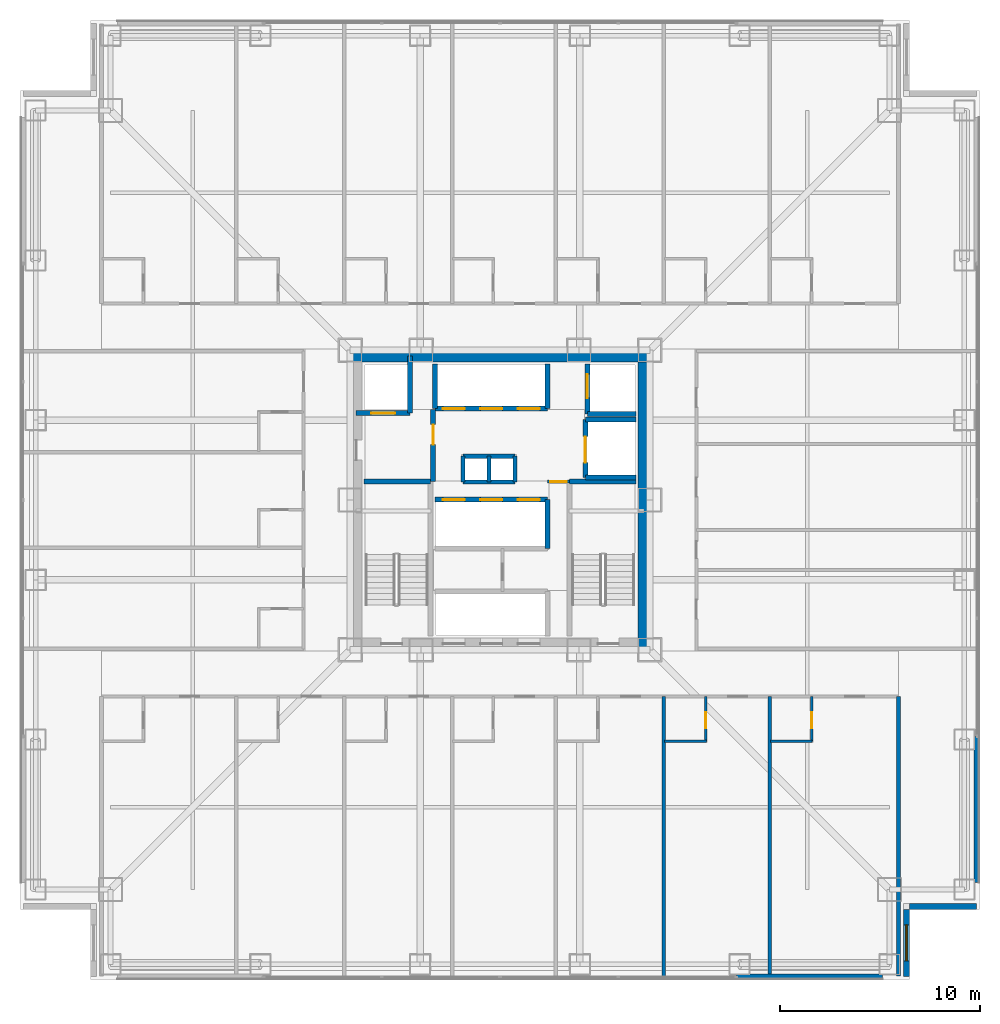
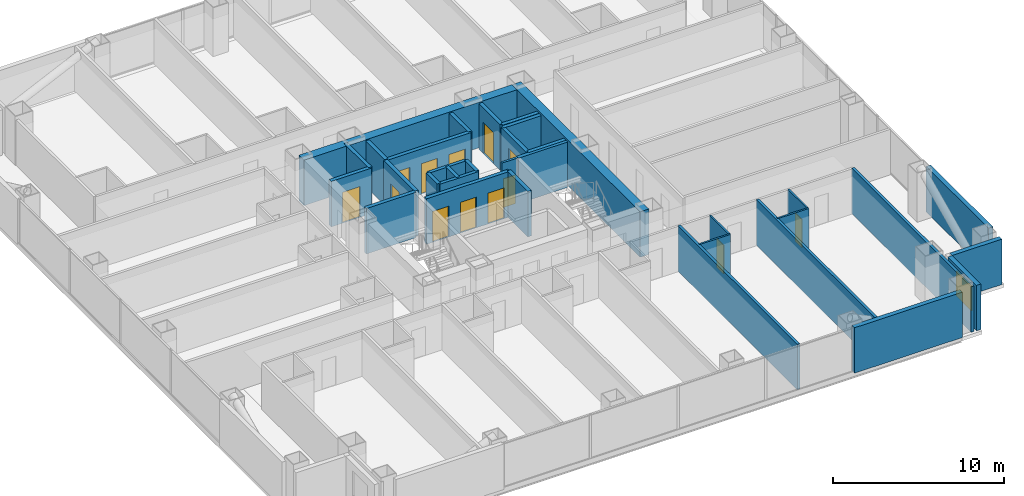
# One storey, part 18 of 23: 34 walls, 13 doors, 1 window, 14 openings.
"""IFC4 building model written with IfcOpenShell, lengths in metres."""

from ifc_helpers import new_model, si_unit, direction, frame, frame_2d, origin, place, context, subcontext, project, spatial, rectangle, extrude, material, layer, layer_set, type_object, element, fill, save


model = new_model("IFC4")

# Units and contexts
model_context = context("Model", 3, precision=1e-05, world=origin(), true_north=direction((0.0, 1.0)))
body_context = subcontext(model_context, "Body", "Model", "MODEL_VIEW")
ifc_project = project(units=[si_unit("LENGTHUNIT", "METRE"), si_unit("AREAUNIT", "SQUARE_METRE"), si_unit("VOLUMEUNIT", "CUBIC_METRE"), si_unit("PLANEANGLEUNIT", "RADIAN"), si_unit("MASSUNIT", "GRAM", prefix="KILO")], contexts=[model_context])

# Site, building, storey
site_placement = place(None, origin())
site = spatial("IfcSite", under=ifc_project, at=site_placement, CompositionType="ELEMENT")
building_placement = place(site_placement, origin())
building = spatial("IfcBuilding", under=site, at=building_placement, Name="Trevonay Congress Spire", CompositionType="ELEMENT")
storey_placement = place(building_placement, frame((0.0, 0.0, 34.0)))
storey = spatial("IfcBuildingStorey", under=building, at=storey_placement, Name="L07", CompositionType="ELEMENT", Elevation=34.0)

# Wall, opening, door
ifc_material_1 = material(Name="Concrete C40/50", Category="concrete")
ifc_layer_1 = layer(ifc_material_1, 0.1201171875, Name="Concrete C40/50")
ifc_layer_set_1 = layer_set([ifc_layer_1], Name="Concrete C40/50")
wall_type_1 = type_object("IfcWallType", Name="WAL-BATH-120", PredefinedType="PLUMBINGWALL", material=ifc_layer_set_1)
wall_1_placement = place(storey_placement, frame((10.300048828125, -12.080078125, 0.0), z_axis=(0.0, 0.0, 1.0), x_axis=(0.0, 1.0, 0.0)))
wall_1 = element("IfcWall", 1, at=wall_1_placement, inside=storey, type_object=wall_type_1, Name="L07 interior wall WH-L07S-BS6", PredefinedType="PLUMBINGWALL", context=body_context, shape_type="SweptSolid", body=[
    extrude(rectangle(XDim=2.25, YDim=0.1201171875, at=frame_2d((1.125, 0.0))), origin(), (0.0, 0.0, 1.0), 3.25),
])
opening_1_placement = place(wall_1_placement, frame((0.64990234375, 0.0, 0.0)))
opening_1 = element("IfcOpeningElement", 2, at=opening_1_placement, cuts=wall_1, Name="Opening D11", PredefinedType="OPENING", context=body_context, shape_type="SweptSolid", body=[
    extrude(rectangle(XDim=0.800048828125, YDim=2.050048828125, at=frame_2d((0.39990234375, 1.02490234375))), frame((0.0, 0.070068359375, 0.0), z_axis=(0.0, -1.0, 0.0), x_axis=(1.0, 0.0, 0.0)), (0.0, 0.0, 1.0), 0.14013671875),
])
ifc_material_2 = material(Name="Pale Anodised Aluminium EN AW-6063-T6", Category="aluminium")
door_type_1 = type_object("IfcDoorType", Name="DOR-BATH-80", OperationType="NOTDEFINED", PredefinedType="DOOR", material=ifc_material_2)
door_1_placement = place(opening_1_placement, origin())
door_1 = element("IfcDoor", 3, at=door_1_placement, inside=storey, type_object=door_type_1, Name="L07 En-suite Bathroom Door", OperationType="SINGLE_SWING_RIGHT", OverallHeight=2.050048828125, OverallWidth=0.800048828125, PredefinedType="DOOR", context=body_context, shape_type="SweptSolid", body=[
    extrude(rectangle(XDim=0.800048828125, YDim=2.050048828125, at=frame_2d((0.39990234375, 1.02490234375))), frame((0.0, 0.02490234375, 0.0), z_axis=(0.0, -1.0, 0.0), x_axis=(1.0, 0.0, 0.0)), (0.0, 0.0, 1.0), 0.050048828125),
])
fill(opening_1, door_1)

# Wall
wall_2_placement = place(storey_placement, frame((8.22998046875, -12.080078125, 0.0), z_axis=(0.0, 0.0, 1.0), x_axis=(1.0, 0.0, 0.0)))
element("IfcWall", 4, at=wall_2_placement, inside=storey, type_object=wall_type_1, Name="L07 interior wall WH-L07S-BF6", PredefinedType="PLUMBINGWALL", context=body_context, shape_type="SweptSolid", body=[
    extrude(rectangle(XDim=2.10009765625, YDim=0.1201171875, at=frame_2d((1.050048828125, 0.0))), origin(), (0.0, 0.0, 1.0), 3.25),
])

# Wall, opening, door
wall_3_placement = place(storey_placement, frame((15.60009765625, -12.080078125, 0.0), z_axis=(0.0, 0.0, 1.0), x_axis=(0.0, 1.0, 0.0)))
wall_3 = element("IfcWall", 5, at=wall_3_placement, inside=storey, type_object=wall_type_1, Name="L07 interior wall WH-L07S-BS7", PredefinedType="PLUMBINGWALL", context=body_context, shape_type="SweptSolid", body=[
    extrude(rectangle(XDim=2.25, YDim=0.1201171875, at=frame_2d((1.125, 0.0))), origin(), (0.0, 0.0, 1.0), 3.25),
])
opening_2_placement = place(wall_3_placement, frame((0.64990234375, 0.0, 0.0)))
opening_2 = element("IfcOpeningElement", 6, at=opening_2_placement, cuts=wall_3, Name="Opening D11", PredefinedType="OPENING", context=body_context, shape_type="SweptSolid", body=[
    extrude(rectangle(XDim=0.800048828125, YDim=2.050048828125, at=frame_2d((0.39990234375, 1.02490234375))), frame((0.0, 0.070068359375, 0.0), z_axis=(0.0, -1.0, 0.0), x_axis=(1.0, 0.0, 0.0)), (0.0, 0.0, 1.0), 0.14013671875),
])
door_2_placement = place(opening_2_placement, origin())
door_2 = element("IfcDoor", 7, at=door_2_placement, inside=storey, type_object=door_type_1, Name="L07 En-suite Bathroom Door", OperationType="SINGLE_SWING_LEFT", OverallHeight=2.050048828125, OverallWidth=0.800048828125, PredefinedType="DOOR", context=body_context, shape_type="SweptSolid", body=[
    extrude(rectangle(XDim=0.800048828125, YDim=2.050048828125, at=frame_2d((0.39990234375, 1.02490234375))), frame((0.0, 0.02490234375, 0.0), z_axis=(0.0, -1.0, 0.0), x_axis=(1.0, 0.0, 0.0)), (0.0, 0.0, 1.0), 0.050048828125),
])
fill(opening_2, door_2)

# Walls
wall_4_placement = place(storey_placement, frame((13.530029296875, -12.080078125, 0.0), z_axis=(0.0, 0.0, 1.0), x_axis=(1.0, 0.0, 0.0)))
element("IfcWall", 8, at=wall_4_placement, inside=storey, type_object=wall_type_1, Name="L07 interior wall WH-L07S-BF7", PredefinedType="PLUMBINGWALL", context=body_context, shape_type="SweptSolid", body=[
    extrude(rectangle(XDim=2.099853515625, YDim=0.1201171875, at=frame_2d((1.0498046875, 0.0))), origin(), (0.0, 0.0, 1.0), 3.25),
])
ifc_material_3 = material(Name="Concrete C60/75", Category="concrete")
ifc_layer_2 = layer(ifc_material_3, 0.60009765625, Name="Concrete C60/75")
ifc_layer_set_2 = layer_set([ifc_layer_2], Name="Concrete C60/75")
wall_type_2 = type_object("IfcWallType", Name="WAL-CORE-600", PredefinedType="SHEAR", material=ifc_layer_set_2)
for number, where, z_axis, x_axis, name in (
    (9, (-7.5, 7.199951171875, 0.0), (0.0, 0.0, 1.0), (1.0, 0.0, 0.0), "L07 North structural core shear wall"),
    (10, (7.199951171875, -7.5, 0.0), (0.0, 0.0, 1.0), (0.0, 1.0, 0.0), "L07 East structural core shear wall"),
):
    element("IfcWall", number, at=place(storey_placement, frame(where, z_axis=z_axis, x_axis=x_axis)), inside=storey, type_object=wall_type_2, Name=name, PredefinedType="SHEAR", context=body_context, shape_type="SweptSolid", body=[
        extrude(rectangle(XDim=15.0, YDim=0.60009765625, at=frame_2d((7.5, 0.0))), origin(), (0.0, 0.0, 1.0), 3.25),
    ])
ifc_material_4 = material(Name="Precast concrete C40/50", Category="concrete")
ifc_layer_3 = layer(ifc_material_4, 0.300048828125, Name="Precast concrete C40/50")
ifc_layer_set_3 = layer_set([ifc_layer_3], Name="Precast concrete C40/50")
wall_type_3 = type_object("IfcWallType", Name="WAL-EXT-PRECAST-300", PredefinedType="SOLIDWALL", material=ifc_layer_set_3)
for number, where, z_axis, x_axis, name in (
    (11, (11.85009765625, -23.8798828125, 0.0), (0.0, 0.0, 1.0), (1.0, 0.0, 0.0), "L07 SR braced-bay exterior pier wall"),
    (12, (23.8798828125, -19.14990234375, 0.0), (0.0, 0.0, 1.0), (0.0, 1.0, 0.0), "L07 EL braced-bay exterior pier wall"),
):
    element("IfcWall", number, at=place(storey_placement, frame(where, z_axis=z_axis, x_axis=x_axis)), inside=storey, type_object=wall_type_3, Name=name, PredefinedType="SOLIDWALL", context=body_context, shape_type="SweptSolid", body=[
        extrude(rectangle(XDim=7.2998046875, YDim=0.300048828125, at=frame_2d((3.64990234375, 0.0))), origin(), (0.0, 0.0, 1.0), 3.25),
    ])

# Wall, opening, window
wall_5_placement = place(storey_placement, frame((20.35009765625, -23.85009765625, 0.0), z_axis=(0.0, 0.0, 1.0), x_axis=(0.0, 1.0, 0.0)))
wall_5 = element("IfcWall", 13, at=wall_5_placement, inside=storey, type_object=wall_type_3, Name="L07 SE re-entrant notch exterior wall 1", PredefinedType="SOLIDWALL", context=body_context, shape_type="SweptSolid", body=[
    extrude(rectangle(XDim=3.35009765625, YDim=0.300048828125, at=frame_2d((1.675048828125, 0.0))), origin(), (0.0, 0.0, 1.0), 3.25),
])
opening_3_placement = place(wall_5_placement, frame((0.77490234375, 0.0, 0.89990234375)))
opening_3 = element("IfcOpeningElement", 14, at=opening_3_placement, cuts=wall_5, Name="Opening WN01", PredefinedType="OPENING", context=body_context, shape_type="SweptSolid", body=[
    extrude(rectangle(XDim=1.800048828125, YDim=1.800048828125, at=frame_2d((0.89990234375, 0.89990234375))), frame((0.0, 0.16015625, 0.0), z_axis=(0.0, -1.0, 0.0), x_axis=(1.0, 0.0, 0.0)), (0.0, 0.0, 1.0), 0.320068359375),
])
ifc_material_5 = material(Name="Insulated Low-E Vision Glass IGU", Category="glass")
window_type = type_object("IfcWindowType", Name="WIN-HOTEL-180X180", PartitioningType="SINGLE_PANEL", PredefinedType="WINDOW", material=ifc_material_5)
window_placement = place(opening_3_placement, origin())
window = element("IfcWindow", 15, at=window_placement, inside=storey, type_object=window_type, Name="L07 SE corner notch window", OverallHeight=1.800048828125, OverallWidth=1.800048828125, PartitioningType="SINGLE_PANEL", PredefinedType="WINDOW", context=body_context, shape_type="SweptSolid", body=[
    extrude(rectangle(XDim=1.800048828125, YDim=1.800048828125, at=frame_2d((0.89990234375, 0.89990234375))), frame((0.0, 0.030029296875, 0.0), z_axis=(0.0, -1.0, 0.0), x_axis=(1.0, 0.0, 0.0)), (0.0, 0.0, 1.0), 0.06005859375),
])
fill(opening_3, window)

# Walls
wall_6_placement = place(storey_placement, frame((23.85009765625, -20.35009765625, 0.0), z_axis=(0.0, 0.0, 1.0), x_axis=(-1.0, 0.0, 0.0)))
element("IfcWall", 16, at=wall_6_placement, inside=storey, type_object=wall_type_3, Name="L07 SE re-entrant notch exterior wall 2", PredefinedType="SOLIDWALL", context=body_context, shape_type="SweptSolid", body=[
    extrude(rectangle(XDim=3.35009765625, YDim=0.300048828125, at=frame_2d((1.675048828125, 0.0))), origin(), (0.0, 0.0, 1.0), 3.25),
])
ifc_layer_4 = layer(ifc_material_1, 0.179931640625, Name="Concrete C40/50")
ifc_layer_set_4 = layer_set([ifc_layer_4], Name="Concrete C40/50")
wall_type_4 = type_object("IfcWallType", Name="WAL-HOTEL-180", PredefinedType="PARTITIONING", material=ifc_layer_set_4)
for number, where, z_axis, x_axis, name in (
    (17, (8.199951171875, -23.820068359375, 0.0), (0.0, 0.0, 1.0), (0.0, 1.0, 0.0), "L07 interior wall WH-L07S-DIV6"),
    (18, (13.5, -23.820068359375, 0.0), (0.0, 0.0, 1.0), (0.0, 1.0, 0.0), "L07 interior wall WH-L07S-DIV7"),
    (19, (19.949951171875, -23.820068359375, 0.0), (0.0, 0.0, 1.0), (0.0, 1.0, 0.0), "L07 interior wall WH-L07S-DIV8"),
):
    element("IfcWall", number, at=place(storey_placement, frame(where, z_axis=z_axis, x_axis=x_axis)), inside=storey, type_object=wall_type_4, Name=name, PredefinedType="PARTITIONING", context=body_context, shape_type="SweptSolid", body=[
        extrude(rectangle(XDim=13.989990234375, YDim=0.179931640625, at=frame_2d((6.9951171875, 0.0))), origin(), (0.0, 0.0, 1.0), 3.25),
    ])

# Wall, opening, door
ifc_layer_5 = layer(ifc_material_1, 0.14990234375, Name="Concrete C40/50")
ifc_layer_set_5 = layer_set([ifc_layer_5], Name="Concrete C40/50")
wall_type_5 = type_object("IfcWallType", Name="WAL-PART-150", PredefinedType="PARTITIONING", material=ifc_layer_set_5)
wall_7_placement = place(storey_placement, frame((2.3798828125, 0.919921875, 0.0), z_axis=(0.0, 0.0, 1.0), x_axis=(1.0, 0.0, 0.0)))
wall_7 = element("IfcWall", 20, at=wall_7_placement, inside=storey, type_object=wall_type_5, Name="L07 interior wall CW-CSRV-N-L07", PredefinedType="PARTITIONING", context=body_context, shape_type="SweptSolid", body=[
    extrude(rectangle(XDim=1.090087890625, YDim=0.14990234375, at=frame_2d((0.544921875, 0.0))), origin(), (0.0, 0.0, 1.0), 3.25),
])
opening_4_placement = place(wall_7_placement, frame((0.135009765625, 0.0, 0.0)))
opening_4 = element("IfcOpeningElement", 21, at=opening_4_placement, cuts=wall_7, Name="Opening D13", PredefinedType="OPENING", context=body_context, shape_type="SweptSolid", body=[
    extrude(rectangle(XDim=0.820068359375, YDim=2.050048828125, at=frame_2d((0.41015625, 1.02490234375))), frame((0.0, 0.0849609375, 0.0), z_axis=(0.0, -1.0, 0.0), x_axis=(1.0, 0.0, 0.0)), (0.0, 0.0, 1.0), 0.169921875),
])
ifc_material_6 = material(Name="Steel ASTM A572 Grade 50", Category="steel")
door_type_2 = type_object("IfcDoorType", Name="DOR-UTIL-80", OperationType="NOTDEFINED", PredefinedType="DOOR", material=ifc_material_6)
door_3_placement = place(opening_4_placement, origin())
door_3 = element("IfcDoor", 22, at=door_3_placement, inside=storey, type_object=door_type_2, Name="L07 Core Service Pocket Door", OperationType="SINGLE_SWING_LEFT", OverallHeight=2.050048828125, OverallWidth=0.820068359375, PredefinedType="DOOR", context=body_context, shape_type="SweptSolid", body=[
    extrude(rectangle(XDim=0.820068359375, YDim=2.050048828125, at=frame_2d((0.41015625, 1.02490234375))), frame((0.0, 0.02490234375, 0.0), z_axis=(0.0, -1.0, 0.0), x_axis=(1.0, 0.0, 0.0)), (0.0, 0.0, 1.0), 0.050048828125),
])
fill(opening_4, door_3)

# Walls
ifc_layer_6 = layer(ifc_material_1, 0.219970703125, Name="Concrete C40/50")
ifc_layer_set_6 = layer_set([ifc_layer_6], Name="Concrete C40/50")
wall_type_6 = type_object("IfcWallType", Name="WAL-SHAFT-220", PredefinedType="PARTITIONING", material=ifc_layer_set_6)
for number, where, z_axis, x_axis, name in (
    (23, (-1.85009765625, 2.199951171875, 0.0), (0.0, 0.0, 1.0), (1.0, 0.0, 0.0), "L07 interior shaft wall WSH-L07-RSR-N"),
    (24, (-1.85009765625, 0.89990234375, 0.0), (0.0, 0.0, 1.0), (1.0, 0.0, 0.0), "L07 interior shaft wall WSH-L07-RSR-S"),
):
    element("IfcWall", number, at=place(storey_placement, frame(where, z_axis=z_axis, x_axis=x_axis)), inside=storey, type_object=wall_type_6, Name=name, PredefinedType="PARTITIONING", context=body_context, shape_type="SweptSolid", body=[
        extrude(rectangle(XDim=2.60009765625, YDim=0.219970703125, at=frame_2d((1.300048828125, 0.0))), origin(), (0.0, 0.0, 1.0), 3.25),
    ])
for number, where, z_axis, x_axis, name in (
    (25, (-0.550048828125, 0.89990234375, 0.0), (0.0, 0.0, 1.0), (0.0, 1.0, 0.0), "L07 interior shaft wall WSH-L07-RSR-M"),
    (26, (0.75, 0.89990234375, 0.0), (0.0, 0.0, 1.0), (0.0, 1.0, 0.0), "L07 interior shaft wall WSH-L07-RSR-E"),
    (27, (-1.85009765625, 0.89990234375, 0.0), (0.0, 0.0, 1.0), (0.0, 1.0, 0.0), "L07 interior shaft wall WSH-L07-RSR-W"),
):
    element("IfcWall", number, at=place(storey_placement, frame(where, z_axis=z_axis, x_axis=x_axis)), inside=storey, type_object=wall_type_6, Name=name, PredefinedType="PARTITIONING", context=body_context, shape_type="SweptSolid", body=[
        extrude(rectangle(XDim=1.300048828125, YDim=0.219970703125, at=frame_2d((0.64990234375, 0.0))), origin(), (0.0, 0.0, 1.0), 3.25),
    ])

# Wall, openings, doors
ifc_layer_7 = layer(ifc_material_1, 0.25, Name="Concrete C40/50")
ifc_layer_set_7 = layer_set([ifc_layer_7], Name="Concrete C40/50")
wall_type_7 = type_object("IfcWallType", Name="WAL-SHAFT-250", PredefinedType="SHEAR", material=ifc_layer_set_7)
wall_8_placement = place(storey_placement, frame((-3.260009765625, 0.02001953125, 0.0), z_axis=(0.0, 0.0, 1.0), x_axis=(1.0, 0.0, 0.0)))
wall_8 = element("IfcWall", 28, at=wall_8_placement, inside=storey, type_object=wall_type_7, Name="L07 interior shaft wall WSH-L07-B2-N", PredefinedType="SHEAR", context=body_context, shape_type="SweptSolid", body=[
    extrude(rectangle(XDim=5.639892578125, YDim=0.25, at=frame_2d((2.81982421875, 0.0))), origin(), (0.0, 0.0, 1.0), 3.25),
])
opening_5_placement = place(wall_8_placement, frame((0.39990234375, 0.0, 0.0)))
opening_5 = element("IfcOpeningElement", 29, at=opening_5_placement, cuts=wall_8, Name="Opening LD02", PredefinedType="OPENING", context=body_context, shape_type="SweptSolid", body=[
    extrude(rectangle(XDim=1.10009765625, YDim=2.199951171875, at=frame_2d((0.550048828125, 1.10009765625))), frame((0.0, 0.135009765625, 0.0), z_axis=(0.0, -1.0, 0.0), x_axis=(1.0, 0.0, 0.0)), (0.0, 0.0, 1.0), 0.27001953125),
])
opening_6_placement = place(wall_8_placement, frame((2.280029296875, 0.0, 0.0)))
opening_6 = element("IfcOpeningElement", 30, at=opening_6_placement, cuts=wall_8, Name="Opening LD02", PredefinedType="OPENING", context=body_context, shape_type="SweptSolid", body=[
    extrude(rectangle(XDim=1.10009765625, YDim=2.199951171875, at=frame_2d((0.550048828125, 1.10009765625))), frame((0.0, 0.135009765625, 0.0), z_axis=(0.0, -1.0, 0.0), x_axis=(1.0, 0.0, 0.0)), (0.0, 0.0, 1.0), 0.27001953125),
])
opening_7_placement = place(wall_8_placement, frame((4.159912109375, 0.0, 0.0)))
opening_7 = element("IfcOpeningElement", 31, at=opening_7_placement, cuts=wall_8, Name="Opening LD02", PredefinedType="OPENING", context=body_context, shape_type="SweptSolid", body=[
    extrude(rectangle(XDim=1.10009765625, YDim=2.199951171875, at=frame_2d((0.550048828125, 1.10009765625))), frame((0.0, 0.135009765625, 0.0), z_axis=(0.0, -1.0, 0.0), x_axis=(1.0, 0.0, 0.0)), (0.0, 0.0, 1.0), 0.27001953125),
])
door_type_3 = type_object("IfcDoorType", Name="DOR-LIFT-LD02", OperationType="DOUBLE_DOOR_SLIDING", PredefinedType="DOOR", material=ifc_material_2)
door_4_placement = place(opening_5_placement, origin())
door_4 = element("IfcDoor", 32, at=door_4_placement, inside=storey, type_object=door_type_3, Name="L07 Passenger lift PL-04 landing door", OperationType="DOUBLE_DOOR_SLIDING", OverallHeight=2.199951171875, OverallWidth=1.10009765625, PredefinedType="DOOR", context=body_context, shape_type="SweptSolid", body=[
    extrude(rectangle(XDim=1.10009765625, YDim=2.199951171875, at=frame_2d((0.550048828125, 1.10009765625))), frame((0.0, 0.02490234375, 0.0), z_axis=(0.0, -1.0, 0.0), x_axis=(1.0, 0.0, 0.0)), (0.0, 0.0, 1.0), 0.050048828125),
])
fill(opening_5, door_4)
door_5_placement = place(opening_6_placement, origin())
door_5 = element("IfcDoor", 33, at=door_5_placement, inside=storey, type_object=door_type_3, Name="L07 Passenger lift PL-05 landing door", OperationType="DOUBLE_DOOR_SLIDING", OverallHeight=2.199951171875, OverallWidth=1.10009765625, PredefinedType="DOOR", context=body_context, shape_type="SweptSolid", body=[
    extrude(rectangle(XDim=1.10009765625, YDim=2.199951171875, at=frame_2d((0.550048828125, 1.10009765625))), frame((0.0, 0.02490234375, 0.0), z_axis=(0.0, -1.0, 0.0), x_axis=(1.0, 0.0, 0.0)), (0.0, 0.0, 1.0), 0.050048828125),
])
fill(opening_6, door_5)
door_6_placement = place(opening_7_placement, origin())
door_6 = element("IfcDoor", 34, at=door_6_placement, inside=storey, type_object=door_type_3, Name="L07 Passenger lift PL-06 landing door", OperationType="DOUBLE_DOOR_SLIDING", OverallHeight=2.199951171875, OverallWidth=1.10009765625, PredefinedType="DOOR", context=body_context, shape_type="SweptSolid", body=[
    extrude(rectangle(XDim=1.10009765625, YDim=2.199951171875, at=frame_2d((0.550048828125, 1.10009765625))), frame((0.0, 0.02490234375, 0.0), z_axis=(0.0, -1.0, 0.0), x_axis=(1.0, 0.0, 0.0)), (0.0, 0.0, 1.0), 0.050048828125),
])
fill(opening_7, door_6)

# Wall
wall_9_placement = place(storey_placement, frame((2.3798828125, -2.419921875, 0.0), z_axis=(0.0, 0.0, 1.0), x_axis=(0.0, 1.0, 0.0)))
element("IfcWall", 35, at=wall_9_placement, inside=storey, type_object=wall_type_7, Name="L07 interior shaft wall WSH-L07-B2-E", PredefinedType="SHEAR", context=body_context, shape_type="SweptSolid", body=[
    extrude(rectangle(XDim=2.43994140625, YDim=0.25, at=frame_2d((1.219970703125, 0.0))), origin(), (0.0, 0.0, 1.0), 3.25),
])

# Wall, openings, doors
wall_10_placement = place(storey_placement, frame((-3.260009765625, 4.580078125, 0.0), z_axis=(0.0, 0.0, 1.0), x_axis=(1.0, 0.0, 0.0)))
wall_10 = element("IfcWall", 36, at=wall_10_placement, inside=storey, type_object=wall_type_7, Name="L07 interior shaft wall WSH-L07-B3-S", PredefinedType="SHEAR", context=body_context, shape_type="SweptSolid", body=[
    extrude(rectangle(XDim=5.639892578125, YDim=0.25, at=frame_2d((2.81982421875, 0.0))), origin(), (0.0, 0.0, 1.0), 3.25),
])
opening_8_placement = place(wall_10_placement, frame((0.39990234375, 0.0, 0.0)))
opening_8 = element("IfcOpeningElement", 37, at=opening_8_placement, cuts=wall_10, Name="Opening LD03", PredefinedType="OPENING", context=body_context, shape_type="SweptSolid", body=[
    extrude(rectangle(XDim=1.10009765625, YDim=2.199951171875, at=frame_2d((0.550048828125, 1.10009765625))), frame((0.0, 0.135009765625, 0.0), z_axis=(0.0, -1.0, 0.0), x_axis=(1.0, 0.0, 0.0)), (0.0, 0.0, 1.0), 0.27001953125),
])
opening_9_placement = place(wall_10_placement, frame((2.280029296875, 0.0, 0.0)))
opening_9 = element("IfcOpeningElement", 38, at=opening_9_placement, cuts=wall_10, Name="Opening LD03", PredefinedType="OPENING", context=body_context, shape_type="SweptSolid", body=[
    extrude(rectangle(XDim=1.10009765625, YDim=2.199951171875, at=frame_2d((0.550048828125, 1.10009765625))), frame((0.0, 0.135009765625, 0.0), z_axis=(0.0, -1.0, 0.0), x_axis=(1.0, 0.0, 0.0)), (0.0, 0.0, 1.0), 0.27001953125),
])
opening_10_placement = place(wall_10_placement, frame((4.159912109375, 0.0, 0.0)))
opening_10 = element("IfcOpeningElement", 39, at=opening_10_placement, cuts=wall_10, Name="Opening LD03", PredefinedType="OPENING", context=body_context, shape_type="SweptSolid", body=[
    extrude(rectangle(XDim=1.10009765625, YDim=2.199951171875, at=frame_2d((0.550048828125, 1.10009765625))), frame((0.0, 0.135009765625, 0.0), z_axis=(0.0, -1.0, 0.0), x_axis=(1.0, 0.0, 0.0)), (0.0, 0.0, 1.0), 0.27001953125),
])
door_type_4 = type_object("IfcDoorType", Name="DOR-LIFT-LD03", OperationType="DOUBLE_DOOR_SLIDING", PredefinedType="DOOR", material=ifc_material_2)
door_7_placement = place(opening_8_placement, origin())
door_7 = element("IfcDoor", 40, at=door_7_placement, inside=storey, type_object=door_type_4, Name="L07 Passenger lift PL-07 landing door", OperationType="DOUBLE_DOOR_SLIDING", OverallHeight=2.199951171875, OverallWidth=1.10009765625, PredefinedType="DOOR", context=body_context, shape_type="SweptSolid", body=[
    extrude(rectangle(XDim=1.10009765625, YDim=2.199951171875, at=frame_2d((0.550048828125, 1.10009765625))), frame((0.0, 0.02490234375, 0.0), z_axis=(0.0, -1.0, 0.0), x_axis=(1.0, 0.0, 0.0)), (0.0, 0.0, 1.0), 0.050048828125),
])
fill(opening_8, door_7)
door_8_placement = place(opening_9_placement, origin())
door_8 = element("IfcDoor", 41, at=door_8_placement, inside=storey, type_object=door_type_4, Name="L07 Passenger lift PL-08 landing door", OperationType="DOUBLE_DOOR_SLIDING", OverallHeight=2.199951171875, OverallWidth=1.10009765625, PredefinedType="DOOR", context=body_context, shape_type="SweptSolid", body=[
    extrude(rectangle(XDim=1.10009765625, YDim=2.199951171875, at=frame_2d((0.550048828125, 1.10009765625))), frame((0.0, 0.02490234375, 0.0), z_axis=(0.0, -1.0, 0.0), x_axis=(1.0, 0.0, 0.0)), (0.0, 0.0, 1.0), 0.050048828125),
])
fill(opening_9, door_8)
door_9_placement = place(opening_10_placement, origin())
door_9 = element("IfcDoor", 42, at=door_9_placement, inside=storey, type_object=door_type_4, Name="L07 Passenger lift PL-09 landing door", OperationType="DOUBLE_DOOR_SLIDING", OverallHeight=2.199951171875, OverallWidth=1.10009765625, PredefinedType="DOOR", context=body_context, shape_type="SweptSolid", body=[
    extrude(rectangle(XDim=1.10009765625, YDim=2.199951171875, at=frame_2d((0.550048828125, 1.10009765625))), frame((0.0, 0.02490234375, 0.0), z_axis=(0.0, -1.0, 0.0), x_axis=(1.0, 0.0, 0.0)), (0.0, 0.0, 1.0), 0.050048828125),
])
fill(opening_10, door_9)

# Walls
for number, where, z_axis, x_axis, name in (
    (43, (-3.260009765625, 4.580078125, 0.0), (0.0, 0.0, 1.0), (0.0, 1.0, 0.0), "L07 interior shaft wall WSH-L07-B3-W"),
    (44, (2.3798828125, 4.580078125, 0.0), (0.0, 0.0, 1.0), (0.0, 1.0, 0.0), "L07 interior shaft wall WSH-L07-B3-E"),
):
    element("IfcWall", number, at=place(storey_placement, frame(where, z_axis=z_axis, x_axis=x_axis)), inside=storey, type_object=wall_type_7, Name=name, PredefinedType="SHEAR", context=body_context, shape_type="SweptSolid", body=[
        extrude(rectangle(XDim=2.219970703125, YDim=0.25, at=frame_2d((1.10986328125, 0.0))), origin(), (0.0, 0.0, 1.0), 3.25),
    ])

# Wall, opening, door
wall_11_placement = place(storey_placement, frame((-7.199951171875, 4.35009765625, 0.0), z_axis=(0.0, 0.0, 1.0), x_axis=(1.0, 0.0, 0.0)))
wall_11 = element("IfcWall", 45, at=wall_11_placement, inside=storey, type_object=wall_type_7, Name="L07 interior shaft wall WSH-L07-FF1-S", PredefinedType="SHEAR", context=body_context, shape_type="SweptSolid", body=[
    extrude(rectangle(XDim=2.699951171875, YDim=0.25, at=frame_2d((1.35009765625, 0.0))), origin(), (0.0, 0.0, 1.0), 3.25),
])
opening_11_placement = place(wall_11_placement, frame((0.75, 0.0, 0.0)))
opening_11 = element("IfcOpeningElement", 46, at=opening_11_placement, cuts=wall_11, Name="Opening LD04", PredefinedType="OPENING", context=body_context, shape_type="SweptSolid", body=[
    extrude(rectangle(XDim=1.199951171875, YDim=2.199951171875, at=frame_2d((0.60009765625, 1.10009765625))), frame((0.0, 0.135009765625, 0.0), z_axis=(0.0, -1.0, 0.0), x_axis=(1.0, 0.0, 0.0)), (0.0, 0.0, 1.0), 0.27001953125),
])
door_type_5 = type_object("IfcDoorType", Name="DOR-LIFT-LD04", OperationType="DOUBLE_DOOR_SLIDING", PredefinedType="DOOR", material=ifc_material_6)
door_10_placement = place(opening_11_placement, origin())
door_10 = element("IfcDoor", 47, at=door_10_placement, inside=storey, type_object=door_type_5, Name="L07 Firefighting lift FFL-01 landing door", OperationType="DOUBLE_DOOR_SLIDING", OverallHeight=2.199951171875, OverallWidth=1.199951171875, PredefinedType="DOOR", context=body_context, shape_type="SweptSolid", body=[
    extrude(rectangle(XDim=1.199951171875, YDim=2.199951171875, at=frame_2d((0.60009765625, 1.10009765625))), frame((0.0, 0.02490234375, 0.0), z_axis=(0.0, -1.0, 0.0), x_axis=(1.0, 0.0, 0.0)), (0.0, 0.0, 1.0), 0.050048828125),
])
fill(opening_11, door_10)

# Walls
wall_12_placement = place(storey_placement, frame((-4.5, 4.35009765625, 0.0), z_axis=(0.0, 0.0, 1.0), x_axis=(0.0, 1.0, 0.0)))
element("IfcWall", 48, at=wall_12_placement, inside=storey, type_object=wall_type_7, Name="L07 interior shaft wall WSH-L07-FF1-E", PredefinedType="SHEAR", context=body_context, shape_type="SweptSolid", body=[
    extrude(rectangle(XDim=2.849853515625, YDim=0.25, at=frame_2d((1.4248046875, 0.0))), origin(), (0.0, 0.0, 1.0), 3.25),
])
wall_13_placement = place(storey_placement, frame((4.3798828125, 4.300048828125, 0.0), z_axis=(0.0, 0.0, 1.0), x_axis=(1.0, 0.0, 0.0)))
element("IfcWall", 49, at=wall_13_placement, inside=storey, type_object=wall_type_7, Name="L07 interior shaft wall WSH-L07-FF2-S", PredefinedType="SHEAR", context=body_context, shape_type="SweptSolid", body=[
    extrude(rectangle(XDim=2.420166015625, YDim=0.25, at=frame_2d((1.2099609375, 0.0))), origin(), (0.0, 0.0, 1.0), 3.25),
])

# Wall, opening, door
wall_14_placement = place(storey_placement, frame((4.3798828125, 4.300048828125, 0.0), z_axis=(0.0, 0.0, 1.0), x_axis=(0.0, 1.0, 0.0)))
wall_14 = element("IfcWall", 50, at=wall_14_placement, inside=storey, type_object=wall_type_7, Name="L07 interior shaft wall WSH-L07-FF2-W", PredefinedType="SHEAR", context=body_context, shape_type="SweptSolid", body=[
    extrude(rectangle(XDim=2.5, YDim=0.25, at=frame_2d((1.25, 0.0))), origin(), (0.0, 0.0, 1.0), 3.25),
])
opening_12_placement = place(wall_14_placement, frame((0.800048828125, 0.0, 0.0)))
opening_12 = element("IfcOpeningElement", 51, at=opening_12_placement, cuts=wall_14, Name="Opening LD04", PredefinedType="OPENING", context=body_context, shape_type="SweptSolid", body=[
    extrude(rectangle(XDim=1.199951171875, YDim=2.199951171875, at=frame_2d((0.60009765625, 1.10009765625))), frame((0.0, 0.135009765625, 0.0), z_axis=(0.0, -1.0, 0.0), x_axis=(1.0, 0.0, 0.0)), (0.0, 0.0, 1.0), 0.27001953125),
])
door_11_placement = place(opening_12_placement, origin())
door_11 = element("IfcDoor", 52, at=door_11_placement, inside=storey, type_object=door_type_5, Name="L07 Firefighting lift FFL-02 landing door", OperationType="DOUBLE_DOOR_SLIDING", OverallHeight=2.199951171875, OverallWidth=1.199951171875, PredefinedType="DOOR", context=body_context, shape_type="SweptSolid", body=[
    extrude(rectangle(XDim=1.199951171875, YDim=2.199951171875, at=frame_2d((0.60009765625, 1.10009765625))), frame((0.0, 0.02490234375, 0.0), z_axis=(0.0, -1.0, 0.0), x_axis=(1.0, 0.0, 0.0)), (0.0, 0.0, 1.0), 0.050048828125),
])
fill(opening_12, door_11)

wall_15_placement = place(storey_placement, frame((4.280029296875, 1.1201171875, 0.0), z_axis=(0.0, 0.0, 1.0), x_axis=(0.0, 1.0, 0.0)))
wall_15 = element("IfcWall", 53, at=wall_15_placement, inside=storey, type_object=wall_type_7, Name="L07 interior shaft wall WSH-L07-SV-W", PredefinedType="SHEAR", context=body_context, shape_type="SweptSolid", body=[
    extrude(rectangle(XDim=2.89990234375, YDim=0.25, at=frame_2d((1.449951171875, 0.0))), origin(), (0.0, 0.0, 1.0), 3.25),
])
opening_13_placement = place(wall_15_placement, frame((0.75, 0.0, 0.0)))
opening_13 = element("IfcOpeningElement", 54, at=opening_13_placement, cuts=wall_15, Name="Opening LD05", PredefinedType="OPENING", context=body_context, shape_type="SweptSolid", body=[
    extrude(rectangle(XDim=1.300048828125, YDim=2.300048828125, at=frame_2d((0.64990234375, 1.14990234375))), frame((0.0, 0.135009765625, 0.0), z_axis=(0.0, -1.0, 0.0), x_axis=(1.0, 0.0, 0.0)), (0.0, 0.0, 1.0), 0.27001953125),
])
door_type_6 = type_object("IfcDoorType", Name="DOR-LIFT-LD05", OperationType="DOUBLE_DOOR_SLIDING", PredefinedType="DOOR", material=ifc_material_6)
door_12_placement = place(opening_13_placement, origin())
door_12 = element("IfcDoor", 55, at=door_12_placement, inside=storey, type_object=door_type_6, Name="L07 Goods lift SVL-01 landing door", OperationType="DOUBLE_DOOR_SLIDING", OverallHeight=2.300048828125, OverallWidth=1.300048828125, PredefinedType="DOOR", context=body_context, shape_type="SweptSolid", body=[
    extrude(rectangle(XDim=1.300048828125, YDim=2.300048828125, at=frame_2d((0.64990234375, 1.14990234375))), frame((0.0, 0.02490234375, 0.0), z_axis=(0.0, -1.0, 0.0), x_axis=(1.0, 0.0, 0.0)), (0.0, 0.0, 1.0), 0.050048828125),
])
fill(opening_13, door_12)

# Walls
for number, where, z_axis, x_axis, name in (
    (56, (4.280029296875, 1.1201171875, 0.0), (0.0, 0.0, 1.0), (1.0, 0.0, 0.0), "L07 interior shaft wall WSH-L07-SV-S"),
    (57, (4.280029296875, 4.02001953125, 0.0), (0.0, 0.0, 1.0), (1.0, 0.0, 0.0), "L07 interior shaft wall WSH-L07-SV-N"),
):
    element("IfcWall", number, at=place(storey_placement, frame(where, z_axis=z_axis, x_axis=x_axis)), inside=storey, type_object=wall_type_7, Name=name, PredefinedType="SHEAR", context=body_context, shape_type="SweptSolid", body=[
        extrude(rectangle(XDim=2.52001953125, YDim=0.25, at=frame_2d((1.260009765625, 0.0))), origin(), (0.0, 0.0, 1.0), 3.25),
    ])

# Wall, opening, door
wall_16_placement = place(storey_placement, frame((-3.35009765625, 0.919921875, 0.0), z_axis=(0.0, 0.0, 1.0), x_axis=(0.0, 1.0, 0.0)))
wall_16 = element("IfcWall", 58, at=wall_16_placement, inside=storey, type_object=wall_type_7, Name="L07 interior wall CW-FFLW-E-L07", PredefinedType="SHEAR", context=body_context, shape_type="SweptSolid", body=[
    extrude(rectangle(XDim=3.6201171875, YDim=0.25, at=frame_2d((1.81005859375, 0.0))), origin(), (0.0, 0.0, 1.0), 3.25),
])
opening_14_placement = place(wall_16_placement, frame((1.85009765625, 0.0, 0.0)))
opening_14 = element("IfcOpeningElement", 59, at=opening_14_placement, cuts=wall_16, Name="Opening D06", PredefinedType="OPENING", context=body_context, shape_type="SweptSolid", body=[
    extrude(rectangle(XDim=1.0, YDim=2.080078125, at=frame_2d((0.5, 1.0400390625))), frame((0.0, 0.135009765625, 0.0), z_axis=(0.0, -1.0, 0.0), x_axis=(1.0, 0.0, 0.0)), (0.0, 0.0, 1.0), 0.27001953125),
])
door_type_7 = type_object("IfcDoorType", Name="DOR-FIRE-100", OperationType="NOTDEFINED", PredefinedType="DOOR", material=ifc_material_6)
door_13_placement = place(opening_14_placement, origin())
door_13 = element("IfcDoor", 60, at=door_13_placement, inside=storey, type_object=door_type_7, Name="L07 Firefighting Core Lobby Transfer Door", OperationType="SINGLE_SWING_RIGHT", OverallHeight=2.080078125, OverallWidth=1.0, PredefinedType="DOOR", context=body_context, shape_type="SweptSolid", body=[
    extrude(rectangle(XDim=1.0, YDim=2.080078125, at=frame_2d((0.5, 1.0400390625))), frame((0.0, 0.02490234375, 0.0), z_axis=(0.0, -1.0, 0.0), x_axis=(1.0, 0.0, 0.0)), (0.0, 0.0, 1.0), 0.050048828125),
])
fill(opening_14, door_13)

# Walls
ifc_layer_8 = layer(ifc_material_1, 0.25, Name="Concrete C40/50")
ifc_layer_set_8 = layer_set([ifc_layer_8], Name="Concrete C40/50")
wall_type_8 = type_object("IfcWallType", Name="WAL-SHAFT-LB-250", PredefinedType="SHEAR", material=ifc_layer_set_8)
for number, where, z_axis, x_axis, name in (
    (61, (-6.800048828125, 0.919921875, 0.0), (0.0, 0.0, 1.0), (1.0, 0.0, 0.0), "L07 interior shaft wall WSH-L07-ST1-N"),
    (62, (3.469970703125, 0.919921875, 0.0), (0.0, 0.0, 1.0), (1.0, 0.0, 0.0), "L07 interior shaft wall WSH-L07-ST2-N"),
):
    element("IfcWall", number, at=place(storey_placement, frame(where, z_axis=z_axis, x_axis=x_axis)), inside=storey, type_object=wall_type_8, Name=name, PredefinedType="SHEAR", context=body_context, shape_type="SweptSolid", body=[
        extrude(rectangle(XDim=3.330078125, YDim=0.25, at=frame_2d((1.6650390625, 0.0))), origin(), (0.0, 0.0, 1.0), 3.25),
    ])

save(model, "model.ifc")
